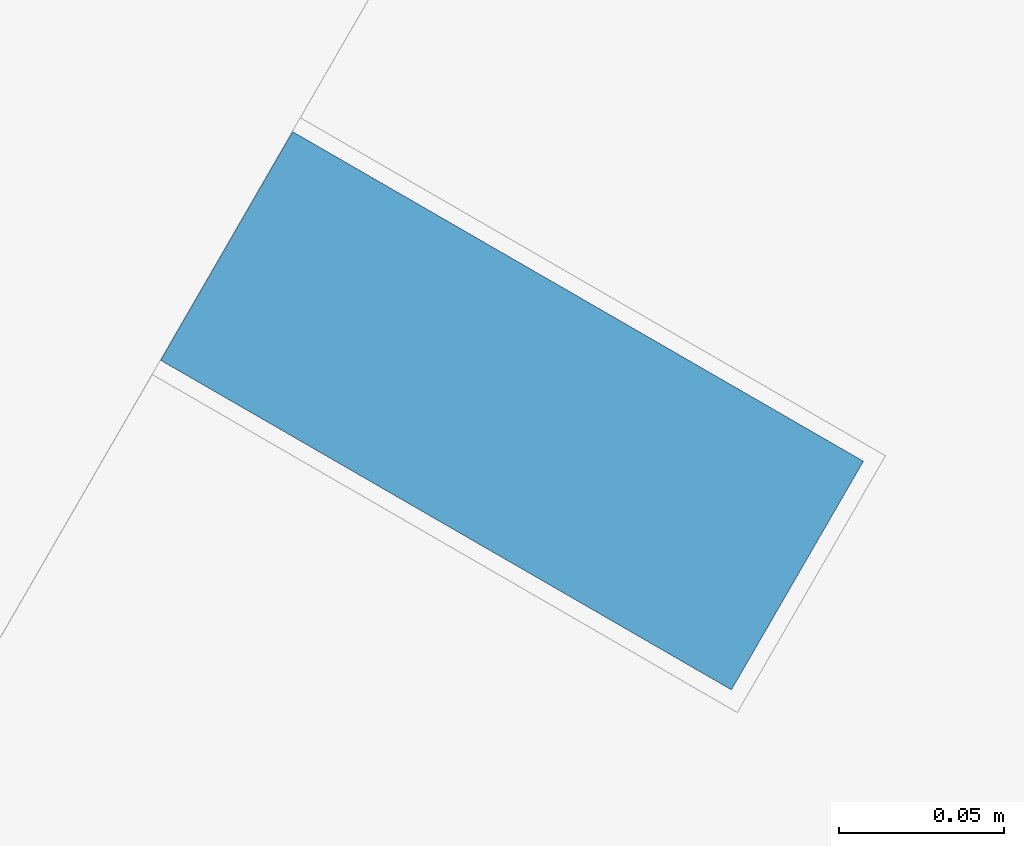
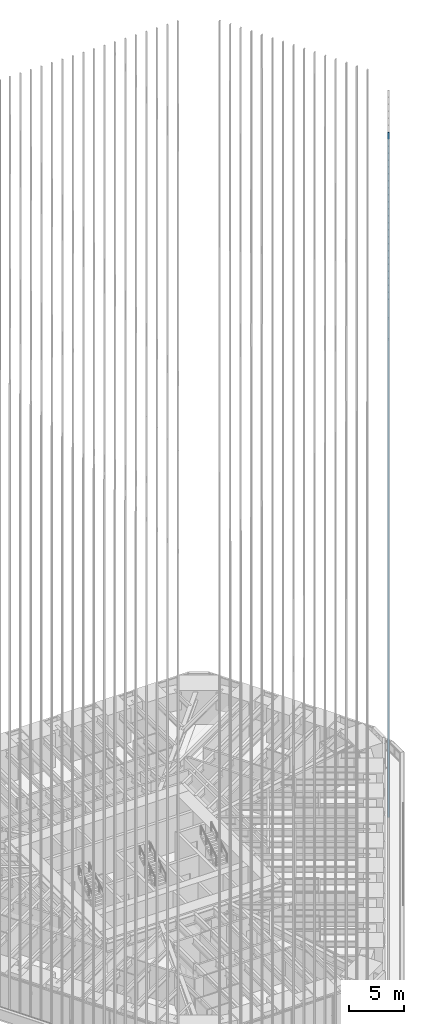
# One storey, part 113 of 238: 1 member, 1 element without a shape of its own.
"""IFC4 building model written with IfcOpenShell, lengths in metres."""

import ifcopenshell
import ifcopenshell.guid

model = None  # the IFC model being written
_history = None  # IfcOwnerHistory: only IFC2X3 demands one
_inside = {}  # id of a spatial element -> (the spatial element, [elements in it])
_under = {}  # id of a project, library or spatial element -> (it, [spatial elements below it])
_declared = {}  # id of a project -> (the project, [libraries it declares])
_typed = {}  # id of a type object -> (the type object, [elements of that type])
_made_of = {}  # id of a material, layer set ... -> (it, [elements and type objects made of it])


def new_model(schema):
    """Start an empty IFC model of exactly this schema.

    Asked for "IFC4X3", IfcOpenShell would pick the latest addendum, in which some entities
    have other attributes; the version numbers below select the first issue.
    IFC2X3 requires an IfcOwnerHistory on every rooted entity: one is made here for all.
    """
    global model, _history
    if schema == "IFC4X3":
        model = ifcopenshell.file(schema_version=(4, 3, 0, 0))
    else:
        model = ifcopenshell.file(schema=schema)
    _inside.clear()
    _under.clear()
    _declared.clear()
    _typed.clear()
    _made_of.clear()
    _history = None
    if model.schema == "IFC2X3":
        org = make("IfcOrganization", Name="unknown")
        user = make(
            "IfcPersonAndOrganization",
            ThePerson=make("IfcPerson", FamilyName="unknown"),
            TheOrganization=org,
        )
        app = make(
            "IfcApplication",
            ApplicationDeveloper=org,
            Version="unknown",
            ApplicationFullName="unknown",
            ApplicationIdentifier="unknown",
        )
        _history = make(
            "IfcOwnerHistory",
            OwningUser=user,
            OwningApplication=app,
            ChangeAction="ADDED",
            CreationDate=0,
        )
    return model


def make(cls, **values):
    """One entity of the class cls with the attributes given. An attribute that is None is left unset."""
    return model.create_entity(
        cls, **{name: value for name, value in values.items() if value is not None}
    )


def rooted(cls, **values):
    """An entity with a GlobalId (a new one), such as an element, a storey or a relation."""
    return make(cls, GlobalId=ifcopenshell.guid.new(), OwnerHistory=_history, **values)


def si_unit(unit_type, name, prefix=None):
    """IfcSIUnit, for example si_unit("LENGTHUNIT", "METRE", prefix="MILLI")."""
    return make("IfcSIUnit", UnitType=unit_type, Prefix=prefix, Name=name)


def assignment(units):
    """IfcUnitAssignment: the units of a project."""
    return None if units is None else make("IfcUnitAssignment", Units=units)


def point(xyz):
    """IfcCartesianPoint."""
    return None if xyz is None else make("IfcCartesianPoint", Coordinates=xyz)


def direction(xyz):
    """IfcDirection."""
    return None if xyz is None else make("IfcDirection", DirectionRatios=xyz)


def frame(location, z_axis=None, x_axis=None):
    """IfcAxis2Placement3D, a coordinate frame: its origin and axes. An axis left out is left unset."""
    return make(
        "IfcAxis2Placement3D",
        Location=point(location),
        Axis=direction(z_axis),
        RefDirection=direction(x_axis),
    )


def frame_2d(location, x_axis=None):
    """IfcAxis2Placement2D, a coordinate frame in the plane: its origin and x axis."""
    return make(
        "IfcAxis2Placement2D", Location=point(location), RefDirection=direction(x_axis)
    )


def origin():
    """The frame at (0, 0, 0) with its axes left unset."""
    return frame((0.0, 0.0, 0.0))


def origin_2d():
    """The frame at (0, 0) in the plane with its x axis left unset."""
    return frame_2d((0.0, 0.0))


def place(relative_to, where):
    """IfcLocalPlacement: puts the frame where relative to a parent placement (None: the world)."""
    return make(
        "IfcLocalPlacement", PlacementRelTo=relative_to, RelativePlacement=where
    )


def context(
    kind, dimensions, precision=None, world=None, true_north=None, identifier=None
):
    """IfcGeometricRepresentationContext, for example the 3D "Model" context."""
    return make(
        "IfcGeometricRepresentationContext",
        ContextIdentifier=identifier,
        ContextType=kind,
        CoordinateSpaceDimension=dimensions,
        Precision=precision,
        WorldCoordinateSystem=world,
        TrueNorth=true_north,
    )


def subcontext(parent, identifier, kind, view, scale=None):
    """IfcGeometricRepresentationSubContext, for example "Body" below "Model"."""
    return make(
        "IfcGeometricRepresentationSubContext",
        ContextIdentifier=identifier,
        ContextType=kind,
        ParentContext=parent,
        TargetScale=scale,
        TargetView=view,
    )


def project(units=None, contexts=None):
    """IfcProject with its units and contexts."""
    return rooted(
        "IfcProject",
        Name="project",
        RepresentationContexts=contexts,
        UnitsInContext=assignment(units),
    )


def spatial(cls, under=None, at=None, **own):
    """A site, building, storey or space (cls), placed at a placement, below another one or the project."""
    s = rooted(cls, ObjectPlacement=at, **own)
    if under is not None:
        _under.setdefault(under.id(), (under, []))[1].append(s)
    return s


def profile(cls, at=None, kind="AREA", **sizes):
    """A parametric profile (cls). Its sizes go by their IFC names, for example OverallWidth=200.0."""
    return make(cls, ProfileType=kind, Position=at, **sizes)


def rectangle(**sizes):
    """IfcRectangleProfileDef."""
    return profile("IfcRectangleProfileDef", **sizes)


def extrude(swept, where, along, depth):
    """IfcExtrudedAreaSolid: the profile swept, set in the frame where, extruded along a direction by depth."""
    return make(
        "IfcExtrudedAreaSolid",
        SweptArea=swept,
        Position=where,
        ExtrudedDirection=direction(along),
        Depth=depth,
    )


def shape(context_of_items, identifier, shape_type, items):
    """IfcShapeRepresentation: the items that make up one representation, for example the "Body"."""
    return make(
        "IfcShapeRepresentation",
        ContextOfItems=context_of_items,
        RepresentationIdentifier=identifier,
        RepresentationType=shape_type,
        Items=items,
    )


def material(Name=None, Category=None):
    """IfcMaterial."""
    return make("IfcMaterial", Name=Name, Category=Category)


def material_profile(
    of_material, cross_section, Name=None, Category=None, Priority=None
):
    """IfcMaterialProfile: a cross section and its material."""
    return make(
        "IfcMaterialProfile",
        Name=Name,
        Material=of_material,
        Profile=cross_section,
        Priority=Priority,
        Category=Category,
    )


def profile_set(profiles, Name=None, composite=None):
    """IfcMaterialProfileSet."""
    return make(
        "IfcMaterialProfileSet",
        Name=Name,
        MaterialProfiles=profiles,
        CompositeProfile=composite,
    )


def made_of(thing, what):
    """Note that an element or type object is made of a material, layer set ...; save() writes the relation."""
    if what is not None:
        _made_of.setdefault(what.id(), (what, []))[1].append(thing)
    return thing


def type_object(cls, material=None, **own):
    """A type object (cls), such as IfcWallType, which elements share."""
    return made_of(rooted(cls, **own), material)


def element(
    cls,
    number,
    at=None,
    inside=None,
    cuts=None,
    type_object=None,
    material=None,
    context=None,
    identifier="Body",
    shape_type=None,
    held_by="IfcProductDefinitionShape",
    body=None,
    shapes=None,
    **own,
):
    """One element of the class cls, such as IfcWall. Its Tag is "e" and its number.

    at: its placement. inside: the storey or other place that contains it. cuts: it is an
    opening in that element (IfcRelVoidsElement). A single representation is given by context,
    identifier, shape_type and body (its items); several are given by shapes. held_by: the class
    of the entity that holds the representations. save() writes the other relations.
    """
    e = rooted(cls, Tag="e%d" % number, ObjectPlacement=at, **own)
    if body is not None:
        shapes = [shape(context, identifier, shape_type, body)]
    if shapes is not None:
        e.Representation = make(held_by, Representations=shapes)
    if inside is not None:
        _inside.setdefault(inside.id(), (inside, []))[1].append(e)
    if cuts is not None:
        rooted(
            "IfcRelVoidsElement", RelatingBuildingElement=cuts, RelatedOpeningElement=e
        )
    if type_object is not None:
        _typed.setdefault(type_object.id(), (type_object, []))[1].append(e)
    return made_of(e, material)


def aggregate(whole, parts):
    """IfcRelAggregates: a whole, such as a stair, and the parts it consists of."""
    return rooted("IfcRelAggregates", RelatingObject=whole, RelatedObjects=parts)


def save(model, path):
    """Write the relations noted so far, then the file.

    IfcRelAggregates (storeys below a building ...), IfcRelContainedInSpatialStructure (elements
    in a storey), IfcRelDefinesByType, IfcRelAssociatesMaterial and IfcRelDeclares: one each for
    every whole, place, type object, material and project.
    """
    for whole, parts in _under.values():
        aggregate(whole, parts)
    for where, things in _inside.values():
        rooted(
            "IfcRelContainedInSpatialStructure",
            RelatedElements=things,
            RelatingStructure=where,
        )
    for kind, things in _typed.values():
        rooted("IfcRelDefinesByType", RelatedObjects=things, RelatingType=kind)
    for what, things in _made_of.values():
        rooted("IfcRelAssociatesMaterial", RelatedObjects=things, RelatingMaterial=what)
    for by, libraries in _declared.values():
        rooted("IfcRelDeclares", RelatingContext=by, RelatedDefinitions=libraries)
    model.write(path)


model = new_model("IFC4")

# Units and contexts
model_context = context("Model", 3, precision=1e-05, world=origin(), true_north=direction((0.0, 1.0)))
body_context = subcontext(model_context, "Body", "Model", "MODEL_VIEW")
ifc_project = project(units=[si_unit("LENGTHUNIT", "METRE"), si_unit("AREAUNIT", "SQUARE_METRE"), si_unit("VOLUMEUNIT", "CUBIC_METRE"), si_unit("PLANEANGLEUNIT", "RADIAN"), si_unit("MASSUNIT", "GRAM", prefix="KILO")], contexts=[model_context])

# Site, building, storey
site_placement = place(None, origin())
site = spatial("IfcSite", under=ifc_project, at=site_placement, CompositionType="ELEMENT")
building_placement = place(site_placement, origin())
building = spatial("IfcBuilding", under=site, at=building_placement, Name="Sandreach Pilgrim Tower", CompositionType="ELEMENT")
storey_placement = place(building_placement, frame((0.0, 0.0, 96.800048828125)))
storey = spatial("IfcBuildingStorey", under=building, at=storey_placement, Name="L23", CompositionType="ELEMENT", Elevation=96.800048828125)

# Curtain wall, member
ifc_material_1 = material(Name="Aluminium framed curtain wall", Category="aluminium")
curtain_wall_type = type_object("IfcCurtainWallType", Name="Hotel tower curtain wall", PredefinedType="NOTDEFINED", material=ifc_material_1)
curtain_wall_placement = place(storey_placement, origin())
curtain_wall = element("IfcCurtainWall", 1, at=curtain_wall_placement, inside=storey, type_object=curtain_wall_type, Name="CW-2 L23 SE", PredefinedType="NOTDEFINED")
ifc_material_2 = material(Name="Extruded terracotta on aluminium core", Category="masonry")
ifc_material_profile = material_profile(ifc_material_2, rectangle(XDim=0.080078125, YDim=0.199951171875, at=origin_2d()), Name="TBE 80X200")
ifc_profile_set = profile_set([ifc_material_profile], Name="Extruded terracotta on aluminium core")
member_type = type_object("IfcMemberType", Name="Terracotta baguette east", PredefinedType="USERDEFINED", material=ifc_profile_set)
member_placement = place(storey_placement, frame((25.330322265625, -1.914306640625, 0.0), z_axis=(0.0, 0.0, 1.0), x_axis=(-0.5, -0.866025403784, 0.0)))
member = element("IfcMember", 2, at=member_placement, type_object=member_type, Name="Baguette Z2 SE07", ObjectType="BAGUETTE", PredefinedType="USERDEFINED", context=body_context, shape_type="SweptSolid", body=[
    extrude(rectangle(XDim=0.080078125, YDim=0.199951171875, at=origin_2d()), origin(), (0.0, 0.0, 1.0), 75.83984375),
])
aggregate(curtain_wall, [member])

save(model, "model.ifc")
